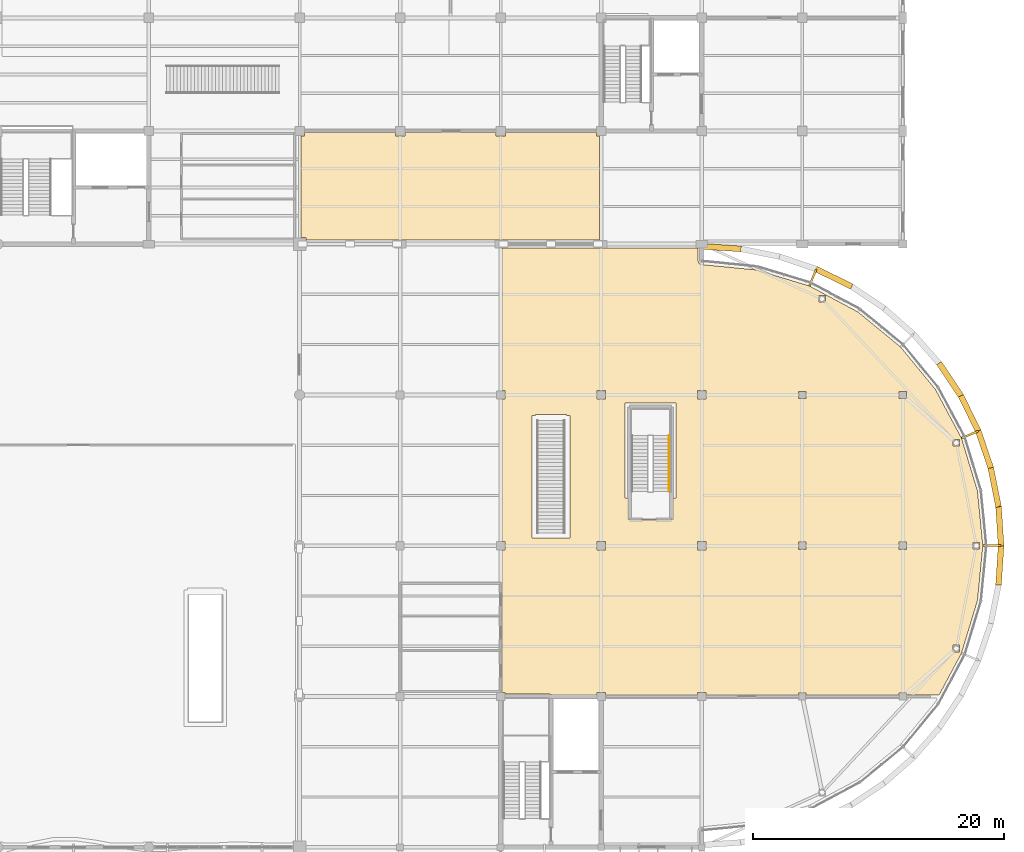
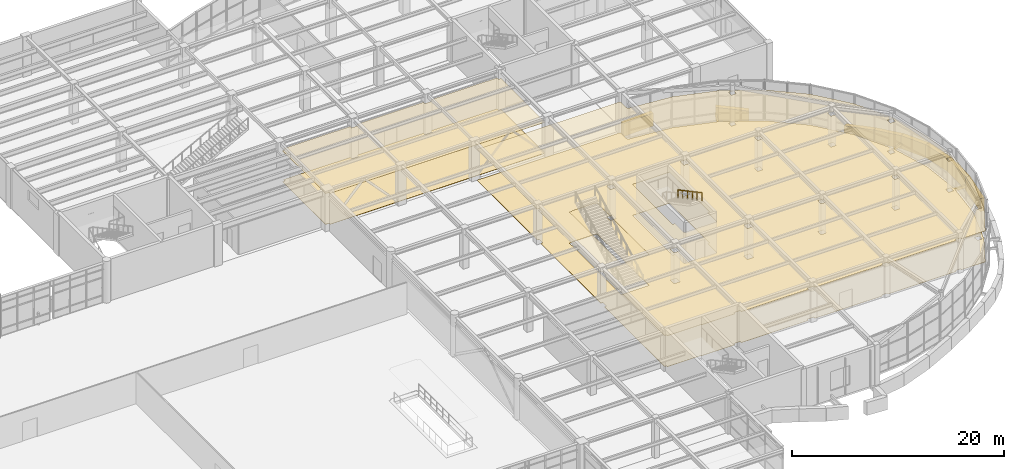
# One storey, part 69 of 72: 15 coverings, 1 railing.
"""IFC4 building model written with IfcOpenShell, lengths in metres."""

import ifcopenshell
import ifcopenshell.guid

model = None  # the IFC model being written
_history = None  # IfcOwnerHistory: only IFC2X3 demands one
_inside = {}  # id of a spatial element -> (the spatial element, [elements in it])
_under = {}  # id of a project, library or spatial element -> (it, [spatial elements below it])
_declared = {}  # id of a project -> (the project, [libraries it declares])
_typed = {}  # id of a type object -> (the type object, [elements of that type])
_made_of = {}  # id of a material, layer set ... -> (it, [elements and type objects made of it])


def new_model(schema):
    """Start an empty IFC model of exactly this schema.

    Asked for "IFC4X3", IfcOpenShell would pick the latest addendum, in which some entities
    have other attributes; the version numbers below select the first issue.
    IFC2X3 requires an IfcOwnerHistory on every rooted entity: one is made here for all.
    """
    global model, _history
    if schema == "IFC4X3":
        model = ifcopenshell.file(schema_version=(4, 3, 0, 0))
    else:
        model = ifcopenshell.file(schema=schema)
    _inside.clear()
    _under.clear()
    _declared.clear()
    _typed.clear()
    _made_of.clear()
    _history = None
    if model.schema == "IFC2X3":
        org = make("IfcOrganization", Name="unknown")
        user = make(
            "IfcPersonAndOrganization",
            ThePerson=make("IfcPerson", FamilyName="unknown"),
            TheOrganization=org,
        )
        app = make(
            "IfcApplication",
            ApplicationDeveloper=org,
            Version="unknown",
            ApplicationFullName="unknown",
            ApplicationIdentifier="unknown",
        )
        _history = make(
            "IfcOwnerHistory",
            OwningUser=user,
            OwningApplication=app,
            ChangeAction="ADDED",
            CreationDate=0,
        )
    return model


def make(cls, **values):
    """One entity of the class cls with the attributes given. An attribute that is None is left unset."""
    return model.create_entity(
        cls, **{name: value for name, value in values.items() if value is not None}
    )


def rooted(cls, **values):
    """An entity with a GlobalId (a new one), such as an element, a storey or a relation."""
    return make(cls, GlobalId=ifcopenshell.guid.new(), OwnerHistory=_history, **values)


def si_unit(unit_type, name, prefix=None):
    """IfcSIUnit, for example si_unit("LENGTHUNIT", "METRE", prefix="MILLI")."""
    return make("IfcSIUnit", UnitType=unit_type, Prefix=prefix, Name=name)


def assignment(units):
    """IfcUnitAssignment: the units of a project."""
    return None if units is None else make("IfcUnitAssignment", Units=units)


def point(xyz):
    """IfcCartesianPoint."""
    return None if xyz is None else make("IfcCartesianPoint", Coordinates=xyz)


def direction(xyz):
    """IfcDirection."""
    return None if xyz is None else make("IfcDirection", DirectionRatios=xyz)


def frame(location, z_axis=None, x_axis=None):
    """IfcAxis2Placement3D, a coordinate frame: its origin and axes. An axis left out is left unset."""
    return make(
        "IfcAxis2Placement3D",
        Location=point(location),
        Axis=direction(z_axis),
        RefDirection=direction(x_axis),
    )


def frame_2d(location, x_axis=None):
    """IfcAxis2Placement2D, a coordinate frame in the plane: its origin and x axis."""
    return make(
        "IfcAxis2Placement2D", Location=point(location), RefDirection=direction(x_axis)
    )


def origin():
    """The frame at (0, 0, 0) with its axes left unset."""
    return frame((0.0, 0.0, 0.0))


def origin_2d():
    """The frame at (0, 0) in the plane with its x axis left unset."""
    return frame_2d((0.0, 0.0))


def place(relative_to, where):
    """IfcLocalPlacement: puts the frame where relative to a parent placement (None: the world)."""
    return make(
        "IfcLocalPlacement", PlacementRelTo=relative_to, RelativePlacement=where
    )


def context(
    kind, dimensions, precision=None, world=None, true_north=None, identifier=None
):
    """IfcGeometricRepresentationContext, for example the 3D "Model" context."""
    return make(
        "IfcGeometricRepresentationContext",
        ContextIdentifier=identifier,
        ContextType=kind,
        CoordinateSpaceDimension=dimensions,
        Precision=precision,
        WorldCoordinateSystem=world,
        TrueNorth=true_north,
    )


def subcontext(parent, identifier, kind, view, scale=None):
    """IfcGeometricRepresentationSubContext, for example "Body" below "Model"."""
    return make(
        "IfcGeometricRepresentationSubContext",
        ContextIdentifier=identifier,
        ContextType=kind,
        ParentContext=parent,
        TargetScale=scale,
        TargetView=view,
    )


def project(units=None, contexts=None):
    """IfcProject with its units and contexts."""
    return rooted(
        "IfcProject",
        Name="project",
        RepresentationContexts=contexts,
        UnitsInContext=assignment(units),
    )


def spatial(cls, under=None, at=None, **own):
    """A site, building, storey or space (cls), placed at a placement, below another one or the project."""
    s = rooted(cls, ObjectPlacement=at, **own)
    if under is not None:
        _under.setdefault(under.id(), (under, []))[1].append(s)
    return s


def polyline(points):
    """IfcPolyline through the points."""
    return make("IfcPolyline", Points=[point(p) for p in points])


def profile(cls, at=None, kind="AREA", **sizes):
    """A parametric profile (cls). Its sizes go by their IFC names, for example OverallWidth=200.0."""
    return make(cls, ProfileType=kind, Position=at, **sizes)


def rectangle(**sizes):
    """IfcRectangleProfileDef."""
    return profile("IfcRectangleProfileDef", **sizes)


def circle(**sizes):
    """IfcCircleProfileDef."""
    return profile("IfcCircleProfileDef", **sizes)


def outline(outer, holes=None, kind="AREA"):
    """IfcArbitraryClosedProfileDef: a profile drawn as a closed curve; with holes, ...WithVoids."""
    if holes is None:
        return make("IfcArbitraryClosedProfileDef", ProfileType=kind, OuterCurve=outer)
    return make(
        "IfcArbitraryProfileDefWithVoids",
        ProfileType=kind,
        OuterCurve=outer,
        InnerCurves=holes,
    )


def extrude(swept, where, along, depth):
    """IfcExtrudedAreaSolid: the profile swept, set in the frame where, extruded along a direction by depth."""
    return make(
        "IfcExtrudedAreaSolid",
        SweptArea=swept,
        Position=where,
        ExtrudedDirection=direction(along),
        Depth=depth,
    )


def shape(context_of_items, identifier, shape_type, items):
    """IfcShapeRepresentation: the items that make up one representation, for example the "Body"."""
    return make(
        "IfcShapeRepresentation",
        ContextOfItems=context_of_items,
        RepresentationIdentifier=identifier,
        RepresentationType=shape_type,
        Items=items,
    )


def material(Name=None, Category=None):
    """IfcMaterial."""
    return make("IfcMaterial", Name=Name, Category=Category)


def layer(
    of_material, thickness, ventilated=None, Name=None, Category=None, Priority=None
):
    """IfcMaterialLayer: one layer of a wall or slab, of a material (None: an air gap)."""
    return make(
        "IfcMaterialLayer",
        Material=of_material,
        LayerThickness=thickness,
        IsVentilated=ventilated,
        Name=Name,
        Category=Category,
        Priority=Priority,
    )


def layer_set(layers, Name=None):
    """IfcMaterialLayerSet."""
    return make("IfcMaterialLayerSet", MaterialLayers=layers, LayerSetName=Name)


def made_of(thing, what):
    """Note that an element or type object is made of a material, layer set ...; save() writes the relation."""
    if what is not None:
        _made_of.setdefault(what.id(), (what, []))[1].append(thing)
    return thing


def type_object(cls, material=None, **own):
    """A type object (cls), such as IfcWallType, which elements share."""
    return made_of(rooted(cls, **own), material)


def element(
    cls,
    number,
    at=None,
    inside=None,
    cuts=None,
    type_object=None,
    material=None,
    context=None,
    identifier="Body",
    shape_type=None,
    held_by="IfcProductDefinitionShape",
    body=None,
    shapes=None,
    **own,
):
    """One element of the class cls, such as IfcWall. Its Tag is "e" and its number.

    at: its placement. inside: the storey or other place that contains it. cuts: it is an
    opening in that element (IfcRelVoidsElement). A single representation is given by context,
    identifier, shape_type and body (its items); several are given by shapes. held_by: the class
    of the entity that holds the representations. save() writes the other relations.
    """
    e = rooted(cls, Tag="e%d" % number, ObjectPlacement=at, **own)
    if body is not None:
        shapes = [shape(context, identifier, shape_type, body)]
    if shapes is not None:
        e.Representation = make(held_by, Representations=shapes)
    if inside is not None:
        _inside.setdefault(inside.id(), (inside, []))[1].append(e)
    if cuts is not None:
        rooted(
            "IfcRelVoidsElement", RelatingBuildingElement=cuts, RelatedOpeningElement=e
        )
    if type_object is not None:
        _typed.setdefault(type_object.id(), (type_object, []))[1].append(e)
    return made_of(e, material)


def aggregate(whole, parts):
    """IfcRelAggregates: a whole, such as a stair, and the parts it consists of."""
    return rooted("IfcRelAggregates", RelatingObject=whole, RelatedObjects=parts)


def save(model, path):
    """Write the relations noted so far, then the file.

    IfcRelAggregates (storeys below a building ...), IfcRelContainedInSpatialStructure (elements
    in a storey), IfcRelDefinesByType, IfcRelAssociatesMaterial and IfcRelDeclares: one each for
    every whole, place, type object, material and project.
    """
    for whole, parts in _under.values():
        aggregate(whole, parts)
    for where, things in _inside.values():
        rooted(
            "IfcRelContainedInSpatialStructure",
            RelatedElements=things,
            RelatingStructure=where,
        )
    for kind, things in _typed.values():
        rooted("IfcRelDefinesByType", RelatedObjects=things, RelatingType=kind)
    for what, things in _made_of.values():
        rooted("IfcRelAssociatesMaterial", RelatedObjects=things, RelatingMaterial=what)
    for by, libraries in _declared.values():
        rooted("IfcRelDeclares", RelatingContext=by, RelatedDefinitions=libraries)
    model.write(path)


model = new_model("IFC4")

# Units and contexts
model_context = context("Model", 3, precision=1e-05, world=origin(), true_north=direction((0.0, 1.0)))
body_context = subcontext(model_context, "Body", "Model", "MODEL_VIEW")
ifc_project = project(units=[si_unit("LENGTHUNIT", "METRE"), si_unit("AREAUNIT", "SQUARE_METRE"), si_unit("VOLUMEUNIT", "CUBIC_METRE"), si_unit("PLANEANGLEUNIT", "RADIAN"), si_unit("MASSUNIT", "GRAM", prefix="KILO")], contexts=[model_context])

# Site, building, storey
site_placement = place(None, origin())
site = spatial("IfcSite", under=ifc_project, at=site_placement, CompositionType="ELEMENT")
building_placement = place(site_placement, origin())
building = spatial("IfcBuilding", under=site, at=building_placement, Name="Keelwater Ferry Terminal", CompositionType="ELEMENT")
storey_placement = place(building_placement, frame((0.0, 0.0, 5.39990234375)))
storey = spatial("IfcBuildingStorey", under=building, at=storey_placement, Name="L01", CompositionType="ELEMENT", Elevation=5.39990234375)

# Coverings
ifc_material_1 = material(Name="Perforated acoustic gypsum board ceiling", Category="gypsum")
ifc_layer_1 = layer(ifc_material_1, 0.044921875)
ifc_layer_set_1 = layer_set([ifc_layer_1], Name="Perforated acoustic gypsum board ceiling")
covering_type_1 = type_object("IfcCoveringType", Name="CL-AC Acoustic Baffle Ceiling", PredefinedType="CEILING", material=ifc_layer_set_1)
covering_1_placement = place(storey_placement, frame((0.0, 0.0, 3.550048828125)))
element("IfcCovering", 1, at=covering_1_placement, inside=storey, type_object=covering_type_1, Name="International Border Inspection Hall Acoustic Ceiling", PredefinedType="CEILING", context=body_context, shape_type="SweptSolid", body=[
    extrude(outline(polyline([(163.656005859375, 89.677978515625), (163.6630859375, 89.677001953125), (163.6708984375, 89.674072265625), (163.677978515625, 89.6708984375), (163.68408203125, 89.6669921875), (163.69091796875, 89.662109375), (163.697021484375, 89.656982421875), (163.701904296875, 89.65087890625), (163.70703125, 89.64404296875), (163.7109375, 89.637939453125), (163.714111328125, 89.631103515625), (163.717041015625, 89.623046875), (163.718017578125, 89.615966796875), (163.719970703125, 89.60791015625), (163.719970703125, 89.60009765625), (163.719970703125, 88.654052734375), (163.719970703125, 88.64990234375), (163.720947265625, 88.623046875), (163.72509765625, 88.594970703125), (163.73193359375, 88.569091796875), (163.740966796875, 88.54296875), (163.7529296875, 88.51806640625), (163.76708984375, 88.493896484375), (163.783935546875, 88.471923828125), (163.802001953125, 88.451904296875), (163.822021484375, 88.43408203125), (163.843994140625, 88.4169921875), (163.867919921875, 88.403076171875), (163.89306640625, 88.39111328125), (163.9189453125, 88.382080078125), (163.945068359375, 88.375), (163.972900390625, 88.37109375), (166.347900390625, 88.137939453125), (168.35595703125, 87.93994140625), (168.364013671875, 87.93798828125), (168.37109375, 87.93701171875), (170.467041015625, 87.301025390625), (172.55908203125, 86.666015625), (172.56103515625, 86.666015625), (172.56103515625, 86.666015625), (173.841064453125, 85.98193359375), (173.843994140625, 85.97998046875), (173.85107421875, 85.97509765625), (173.85693359375, 85.969970703125), (173.861083984375, 85.964111328125), (173.867919921875, 85.962890625), (173.875, 85.9619140625), (173.883056640625, 85.958984375), (173.889892578125, 85.9560546875), (173.998046875, 85.89794921875), (176.4208984375, 84.60302734375), (176.427001953125, 84.59912109375), (176.43408203125, 84.593994140625), (179.81103515625, 81.822021484375), (179.81689453125, 81.81689453125), (179.822021484375, 81.81103515625), (182.593994140625, 78.43408203125), (182.59912109375, 78.427001953125), (182.60302734375, 78.4208984375), (183.325927734375, 77.068115234375), (184.666015625, 74.56103515625), (184.666015625, 74.56103515625), (184.666015625, 74.55908203125), (185.301025390625, 72.467041015625), (185.93701171875, 70.37109375), (185.93798828125, 70.364013671875), (185.93994140625, 70.35595703125), (186.367919921875, 66.008056640625), (186.367919921875, 66.0), (186.367919921875, 65.991943359375), (185.93994140625, 61.64404296875), (185.93798828125, 61.635986328125), (185.93701171875, 61.62890625), (185.301025390625, 59.532958984375), (184.666015625, 57.44091796875), (184.666015625, 57.43896484375), (184.666015625, 57.43896484375), (182.9130859375, 54.159912109375), (182.910888671875, 54.156005859375), (182.906005859375, 54.14892578125), (182.90087890625, 54.14306640625), (182.89501953125, 54.137939453125), (182.887939453125, 54.133056640625), (182.882080078125, 54.12890625), (182.875, 54.1259765625), (182.866943359375, 54.123046875), (182.860107421875, 54.1220703125), (182.85205078125, 54.1201171875), (182.843994140625, 54.1201171875), (180.294921875, 54.1201171875), (180.287109375, 54.1201171875), (180.284912109375, 54.12109375), (180.284912109375, 54.284912109375), (179.715087890625, 54.284912109375), (179.715087890625, 54.12109375), (179.712890625, 54.1201171875), (179.705078125, 54.1201171875), (172.294921875, 54.1201171875), (172.287109375, 54.1201171875), (172.284912109375, 54.12109375), (172.284912109375, 54.284912109375), (171.715087890625, 54.284912109375), (171.715087890625, 54.12109375), (171.712890625, 54.1201171875), (171.705078125, 54.1201171875), (164.344970703125, 54.1201171875), (164.3369140625, 54.1201171875), (164.3349609375, 54.12109375), (164.3349609375, 54.3349609375), (163.6650390625, 54.3349609375), (163.6650390625, 54.12109375), (163.6630859375, 54.1201171875), (163.655029296875, 54.1201171875), (156.344970703125, 54.1201171875), (156.3369140625, 54.1201171875), (156.3349609375, 54.12109375), (156.3349609375, 54.3349609375), (155.6650390625, 54.3349609375), (155.6650390625, 54.12109375), (155.6630859375, 54.1201171875), (155.655029296875, 54.1201171875), (152.072998046875, 54.1201171875), (152.055908203125, 54.133056640625), (152.031982421875, 54.14697265625), (152.007080078125, 54.158935546875), (151.98095703125, 54.16796875), (151.955078125, 54.175048828125), (151.927001953125, 54.178955078125), (151.89990234375, 54.179931640625), (148.3349609375, 54.179931640625), (148.3349609375, 54.3349609375), (148.12109375, 54.3349609375), (148.1201171875, 54.3369140625), (148.1201171875, 54.344970703125), (148.1201171875, 65.655029296875), (148.1201171875, 65.6630859375), (148.12109375, 65.6650390625), (148.3349609375, 65.6650390625), (148.3349609375, 66.3349609375), (148.12109375, 66.3349609375), (148.1201171875, 66.3369140625), (148.1201171875, 66.344970703125), (148.1201171875, 77.655029296875), (148.1201171875, 77.6630859375), (148.12109375, 77.6650390625), (148.3349609375, 77.6650390625), (148.3349609375, 78.3349609375), (148.12109375, 78.3349609375), (148.1201171875, 78.3369140625), (148.1201171875, 78.344970703125), (148.1201171875, 89.60009765625), (148.1201171875, 89.60791015625), (148.1220703125, 89.615966796875), (148.123046875, 89.623046875), (148.1259765625, 89.631103515625), (148.12890625, 89.637939453125), (148.133056640625, 89.64404296875), (148.137939453125, 89.65087890625), (148.14306640625, 89.656982421875), (148.14892578125, 89.662109375), (148.156005859375, 89.6669921875), (148.162109375, 89.6708984375), (148.1689453125, 89.674072265625), (148.177001953125, 89.677001953125), (148.18408203125, 89.677978515625), (148.19189453125, 89.679931640625), (148.199951171875, 89.679931640625), (163.639892578125, 89.679931640625), (163.64794921875, 89.679931640625), (163.656005859375, 89.677978515625)]), holes=[polyline([(161.719970703125, 69.800048828125), (161.93994140625, 69.800048828125), (161.93994140625, 76.780029296875), (161.93994140625, 77.340087890625), (157.89990234375, 77.340087890625), (157.89990234375, 76.780029296875), (157.89990234375, 69.800048828125), (158.179931640625, 69.800048828125), (158.179931640625, 68.080078125), (161.719970703125, 68.080078125), (161.719970703125, 69.800048828125)]), polyline([(150.780029296875, 76.419921875), (150.780029296875, 76.360107421875), (150.5, 76.360107421875), (150.5, 66.60009765625), (153.5, 66.60009765625), (153.5, 76.360107421875), (153.219970703125, 76.360107421875), (153.219970703125, 76.419921875), (150.780029296875, 76.419921875)]), polyline([(183.9951171875, 58.0791015625), (183.9951171875, 57.551025390625), (184.52294921875, 57.551025390625), (184.52294921875, 58.0791015625), (183.9951171875, 58.0791015625)]), polyline([(156.3349609375, 66.3349609375), (155.6650390625, 66.3349609375), (155.6650390625, 65.6650390625), (156.3349609375, 65.6650390625), (156.3349609375, 66.3349609375)]), polyline([(186.114013671875, 66.263916015625), (185.5859375, 66.263916015625), (185.5859375, 65.736083984375), (186.114013671875, 65.736083984375), (186.114013671875, 66.263916015625)]), polyline([(179.715087890625, 66.284912109375), (179.715087890625, 65.715087890625), (180.284912109375, 65.715087890625), (180.284912109375, 66.284912109375), (179.715087890625, 66.284912109375)]), polyline([(163.6650390625, 66.3349609375), (163.6650390625, 65.6650390625), (164.3349609375, 65.6650390625), (164.3349609375, 66.3349609375), (163.6650390625, 66.3349609375)]), polyline([(171.715087890625, 66.284912109375), (171.715087890625, 65.715087890625), (172.284912109375, 65.715087890625), (172.284912109375, 66.284912109375), (171.715087890625, 66.284912109375)]), polyline([(183.9951171875, 74.448974609375), (183.9951171875, 73.9208984375), (184.52294921875, 73.9208984375), (184.52294921875, 74.448974609375), (183.9951171875, 74.448974609375)]), polyline([(155.6650390625, 78.3349609375), (155.6650390625, 77.6650390625), (156.3349609375, 77.6650390625), (156.3349609375, 78.3349609375), (155.6650390625, 78.3349609375)]), polyline([(179.715087890625, 78.284912109375), (179.715087890625, 77.715087890625), (180.284912109375, 77.715087890625), (180.284912109375, 78.284912109375), (179.715087890625, 78.284912109375)]), polyline([(172.284912109375, 78.284912109375), (171.715087890625, 78.284912109375), (171.715087890625, 77.715087890625), (172.284912109375, 77.715087890625), (172.284912109375, 78.284912109375)]), polyline([(164.3349609375, 78.3349609375), (163.6650390625, 78.3349609375), (163.6650390625, 77.6650390625), (164.3349609375, 77.6650390625), (164.3349609375, 78.3349609375)]), polyline([(173.31396484375, 85.903076171875), (173.31396484375, 85.375), (173.842041015625, 85.375), (173.842041015625, 85.903076171875), (173.31396484375, 85.903076171875)])]), origin(), (0.0, 0.0, 1.0), 0.045166015625),
])
covering_2_placement = place(storey_placement, frame((0.0, 0.0, 3.550048828125)))
element("IfcCovering", 2, at=covering_2_placement, inside=storey, type_object=covering_type_1, Name="Maritime Bookshop Acoustic Ceiling", PredefinedType="CEILING", context=body_context, shape_type="SweptSolid", body=[
    extrude(outline(polyline([(139.614990234375, 98.87890625), (139.614990234375, 98.614990234375), (140.385009765625, 98.614990234375), (140.385009765625, 98.87890625), (140.386962890625, 98.8798828125), (140.39501953125, 98.8798828125), (147.60498046875, 98.8798828125), (147.613037109375, 98.8798828125), (147.614990234375, 98.87890625), (147.614990234375, 98.614990234375), (148.385009765625, 98.614990234375), (148.385009765625, 98.87890625), (148.386962890625, 98.8798828125), (148.39501953125, 98.8798828125), (155.60498046875, 98.8798828125), (155.613037109375, 98.8798828125), (155.614990234375, 98.87890625), (155.614990234375, 98.614990234375), (155.87890625, 98.614990234375), (155.8798828125, 98.613037109375), (155.8798828125, 98.60498046875), (155.8798828125, 90.39990234375), (155.8798828125, 90.39208984375), (155.8779296875, 90.384033203125), (155.876953125, 90.376953125), (155.8740234375, 90.368896484375), (155.87109375, 90.362060546875), (155.866943359375, 90.35595703125), (155.862060546875, 90.34912109375), (155.85693359375, 90.343017578125), (155.85107421875, 90.337890625), (155.843994140625, 90.3330078125), (155.837890625, 90.3291015625), (155.8310546875, 90.325927734375), (155.822998046875, 90.322998046875), (155.81591796875, 90.322021484375), (155.80810546875, 90.320068359375), (155.800048828125, 90.320068359375), (132.52001953125, 90.320068359375), (132.511962890625, 90.320068359375), (132.510009765625, 90.321044921875), (132.510009765625, 90.510009765625), (132.12109375, 90.510009765625), (132.1201171875, 90.511962890625), (132.1201171875, 90.52001953125), (132.1201171875, 98.60498046875), (132.1201171875, 98.613037109375), (132.12109375, 98.614990234375), (132.385009765625, 98.614990234375), (132.385009765625, 98.87890625), (132.386962890625, 98.8798828125), (132.39501953125, 98.8798828125), (139.60498046875, 98.8798828125), (139.613037109375, 98.8798828125), (139.614990234375, 98.87890625)])), origin(), (0.0, 0.0, 1.0), 0.045166015625),
])
ifc_material_2 = material(Name="Polished mineral terrazzo tile", Category="stone")
ifc_layer_2 = layer(ifc_material_2, 0.030029296875)
ifc_layer_set_2 = layer_set([ifc_layer_2], Name="Polished mineral terrazzo tile")
covering_type_2 = type_object("IfcCoveringType", Name="FL-TZ Marine Terrazzo Flooring", PredefinedType="FLOORING", material=ifc_layer_set_2)
covering_3_placement = place(storey_placement, origin())
element("IfcCovering", 3, at=covering_3_placement, inside=storey, type_object=covering_type_2, Name="International Border Inspection Hall Terrazzo Floor", PredefinedType="FLOORING", context=body_context, shape_type="SweptSolid", body=[
    extrude(outline(polyline([(163.656005859375, 89.677978515625), (163.6630859375, 89.677001953125), (163.6708984375, 89.674072265625), (163.677978515625, 89.6708984375), (163.68408203125, 89.6669921875), (163.69091796875, 89.662109375), (163.697021484375, 89.656982421875), (163.701904296875, 89.65087890625), (163.70703125, 89.64404296875), (163.7109375, 89.637939453125), (163.714111328125, 89.631103515625), (163.717041015625, 89.623046875), (163.718017578125, 89.615966796875), (163.719970703125, 89.60791015625), (163.719970703125, 89.60009765625), (163.719970703125, 88.654052734375), (163.719970703125, 88.64990234375), (163.720947265625, 88.623046875), (163.72509765625, 88.594970703125), (163.73193359375, 88.569091796875), (163.740966796875, 88.54296875), (163.7529296875, 88.51806640625), (163.76708984375, 88.493896484375), (163.783935546875, 88.471923828125), (163.802001953125, 88.451904296875), (163.822021484375, 88.43408203125), (163.843994140625, 88.4169921875), (163.867919921875, 88.403076171875), (163.89306640625, 88.39111328125), (163.9189453125, 88.382080078125), (163.945068359375, 88.375), (163.972900390625, 88.37109375), (166.347900390625, 88.137939453125), (168.35595703125, 87.93994140625), (168.364013671875, 87.93798828125), (168.37109375, 87.93701171875), (170.467041015625, 87.301025390625), (172.55908203125, 86.666015625), (172.56103515625, 86.666015625), (172.56103515625, 86.666015625), (173.841064453125, 85.98193359375), (173.843994140625, 85.97998046875), (173.85107421875, 85.97509765625), (173.85693359375, 85.969970703125), (173.861083984375, 85.964111328125), (173.867919921875, 85.962890625), (173.875, 85.9619140625), (173.883056640625, 85.958984375), (173.889892578125, 85.9560546875), (173.998046875, 85.89794921875), (176.4208984375, 84.60302734375), (176.427001953125, 84.59912109375), (176.43408203125, 84.593994140625), (179.81103515625, 81.822021484375), (179.81689453125, 81.81689453125), (179.822021484375, 81.81103515625), (182.593994140625, 78.43408203125), (182.59912109375, 78.427001953125), (182.60302734375, 78.4208984375), (183.325927734375, 77.068115234375), (184.666015625, 74.56103515625), (184.666015625, 74.56103515625), (184.666015625, 74.55908203125), (185.301025390625, 72.467041015625), (185.93701171875, 70.37109375), (185.93798828125, 70.364013671875), (185.93994140625, 70.35595703125), (186.367919921875, 66.008056640625), (186.367919921875, 66.0), (186.367919921875, 65.991943359375), (185.93994140625, 61.64404296875), (185.93798828125, 61.635986328125), (185.93701171875, 61.62890625), (185.301025390625, 59.532958984375), (184.666015625, 57.44091796875), (184.666015625, 57.43896484375), (184.666015625, 57.43896484375), (182.9130859375, 54.159912109375), (182.910888671875, 54.156005859375), (182.906005859375, 54.14892578125), (182.90087890625, 54.14306640625), (182.89501953125, 54.137939453125), (182.887939453125, 54.133056640625), (182.882080078125, 54.12890625), (182.875, 54.1259765625), (182.866943359375, 54.123046875), (182.860107421875, 54.1220703125), (182.85205078125, 54.1201171875), (182.843994140625, 54.1201171875), (180.294921875, 54.1201171875), (180.287109375, 54.1201171875), (180.284912109375, 54.12109375), (180.284912109375, 54.284912109375), (179.715087890625, 54.284912109375), (179.715087890625, 54.12109375), (179.712890625, 54.1201171875), (179.705078125, 54.1201171875), (172.294921875, 54.1201171875), (172.287109375, 54.1201171875), (172.284912109375, 54.12109375), (172.284912109375, 54.284912109375), (171.715087890625, 54.284912109375), (171.715087890625, 54.12109375), (171.712890625, 54.1201171875), (171.705078125, 54.1201171875), (164.344970703125, 54.1201171875), (164.3369140625, 54.1201171875), (164.3349609375, 54.12109375), (164.3349609375, 54.3349609375), (163.6650390625, 54.3349609375), (163.6650390625, 54.12109375), (163.6630859375, 54.1201171875), (163.655029296875, 54.1201171875), (156.344970703125, 54.1201171875), (156.3369140625, 54.1201171875), (156.3349609375, 54.12109375), (156.3349609375, 54.3349609375), (155.6650390625, 54.3349609375), (155.6650390625, 54.12109375), (155.6630859375, 54.1201171875), (155.655029296875, 54.1201171875), (152.072998046875, 54.1201171875), (152.055908203125, 54.133056640625), (152.031982421875, 54.14697265625), (152.007080078125, 54.158935546875), (151.98095703125, 54.16796875), (151.955078125, 54.175048828125), (151.927001953125, 54.178955078125), (151.89990234375, 54.179931640625), (148.3349609375, 54.179931640625), (148.3349609375, 54.3349609375), (148.12109375, 54.3349609375), (148.1201171875, 54.3369140625), (148.1201171875, 54.344970703125), (148.1201171875, 65.655029296875), (148.1201171875, 65.6630859375), (148.12109375, 65.6650390625), (148.3349609375, 65.6650390625), (148.3349609375, 66.3349609375), (148.12109375, 66.3349609375), (148.1201171875, 66.3369140625), (148.1201171875, 66.344970703125), (148.1201171875, 77.655029296875), (148.1201171875, 77.6630859375), (148.12109375, 77.6650390625), (148.3349609375, 77.6650390625), (148.3349609375, 78.3349609375), (148.12109375, 78.3349609375), (148.1201171875, 78.3369140625), (148.1201171875, 78.344970703125), (148.1201171875, 89.60009765625), (148.1201171875, 89.60791015625), (148.1220703125, 89.615966796875), (148.123046875, 89.623046875), (148.1259765625, 89.631103515625), (148.12890625, 89.637939453125), (148.133056640625, 89.64404296875), (148.137939453125, 89.65087890625), (148.14306640625, 89.656982421875), (148.14892578125, 89.662109375), (148.156005859375, 89.6669921875), (148.162109375, 89.6708984375), (148.1689453125, 89.674072265625), (148.177001953125, 89.677001953125), (148.18408203125, 89.677978515625), (148.19189453125, 89.679931640625), (148.199951171875, 89.679931640625), (163.639892578125, 89.679931640625), (163.64794921875, 89.679931640625), (163.656005859375, 89.677978515625)]), holes=[polyline([(161.719970703125, 69.800048828125), (161.93994140625, 69.800048828125), (161.93994140625, 76.780029296875), (161.93994140625, 77.340087890625), (157.89990234375, 77.340087890625), (157.89990234375, 76.780029296875), (157.89990234375, 69.800048828125), (158.179931640625, 69.800048828125), (158.179931640625, 68.080078125), (161.719970703125, 68.080078125), (161.719970703125, 69.800048828125)]), polyline([(150.780029296875, 76.419921875), (150.780029296875, 76.360107421875), (150.5, 76.360107421875), (150.5, 66.60009765625), (153.5, 66.60009765625), (153.5, 76.360107421875), (153.219970703125, 76.360107421875), (153.219970703125, 76.419921875), (150.780029296875, 76.419921875)]), polyline([(183.9951171875, 58.0791015625), (183.9951171875, 57.551025390625), (184.52294921875, 57.551025390625), (184.52294921875, 58.0791015625), (183.9951171875, 58.0791015625)]), polyline([(156.3349609375, 66.3349609375), (155.6650390625, 66.3349609375), (155.6650390625, 65.6650390625), (156.3349609375, 65.6650390625), (156.3349609375, 66.3349609375)]), polyline([(186.114013671875, 66.263916015625), (185.5859375, 66.263916015625), (185.5859375, 65.736083984375), (186.114013671875, 65.736083984375), (186.114013671875, 66.263916015625)]), polyline([(179.715087890625, 66.284912109375), (179.715087890625, 65.715087890625), (180.284912109375, 65.715087890625), (180.284912109375, 66.284912109375), (179.715087890625, 66.284912109375)]), polyline([(163.6650390625, 66.3349609375), (163.6650390625, 65.6650390625), (164.3349609375, 65.6650390625), (164.3349609375, 66.3349609375), (163.6650390625, 66.3349609375)]), polyline([(171.715087890625, 66.284912109375), (171.715087890625, 65.715087890625), (172.284912109375, 65.715087890625), (172.284912109375, 66.284912109375), (171.715087890625, 66.284912109375)]), polyline([(183.9951171875, 74.448974609375), (183.9951171875, 73.9208984375), (184.52294921875, 73.9208984375), (184.52294921875, 74.448974609375), (183.9951171875, 74.448974609375)]), polyline([(155.6650390625, 78.3349609375), (155.6650390625, 77.6650390625), (156.3349609375, 77.6650390625), (156.3349609375, 78.3349609375), (155.6650390625, 78.3349609375)]), polyline([(179.715087890625, 78.284912109375), (179.715087890625, 77.715087890625), (180.284912109375, 77.715087890625), (180.284912109375, 78.284912109375), (179.715087890625, 78.284912109375)]), polyline([(172.284912109375, 78.284912109375), (171.715087890625, 78.284912109375), (171.715087890625, 77.715087890625), (172.284912109375, 77.715087890625), (172.284912109375, 78.284912109375)]), polyline([(164.3349609375, 78.3349609375), (163.6650390625, 78.3349609375), (163.6650390625, 77.6650390625), (164.3349609375, 77.6650390625), (164.3349609375, 78.3349609375)]), polyline([(173.31396484375, 85.903076171875), (173.31396484375, 85.375), (173.842041015625, 85.375), (173.842041015625, 85.903076171875), (173.31396484375, 85.903076171875)])]), origin(), (0.0, 0.0, 1.0), 0.030029296875),
])
covering_4_placement = place(storey_placement, origin())
element("IfcCovering", 4, at=covering_4_placement, inside=storey, type_object=covering_type_2, Name="Maritime Bookshop Terrazzo Floor", PredefinedType="FLOORING", context=body_context, shape_type="SweptSolid", body=[
    extrude(outline(polyline([(139.614990234375, 98.87890625), (139.614990234375, 98.614990234375), (140.385009765625, 98.614990234375), (140.385009765625, 98.87890625), (140.386962890625, 98.8798828125), (140.39501953125, 98.8798828125), (147.60498046875, 98.8798828125), (147.613037109375, 98.8798828125), (147.614990234375, 98.87890625), (147.614990234375, 98.614990234375), (148.385009765625, 98.614990234375), (148.385009765625, 98.87890625), (148.386962890625, 98.8798828125), (148.39501953125, 98.8798828125), (155.60498046875, 98.8798828125), (155.613037109375, 98.8798828125), (155.614990234375, 98.87890625), (155.614990234375, 98.614990234375), (155.87890625, 98.614990234375), (155.8798828125, 98.613037109375), (155.8798828125, 98.60498046875), (155.8798828125, 90.39990234375), (155.8798828125, 90.39208984375), (155.8779296875, 90.384033203125), (155.876953125, 90.376953125), (155.8740234375, 90.368896484375), (155.87109375, 90.362060546875), (155.866943359375, 90.35595703125), (155.862060546875, 90.34912109375), (155.85693359375, 90.343017578125), (155.85107421875, 90.337890625), (155.843994140625, 90.3330078125), (155.837890625, 90.3291015625), (155.8310546875, 90.325927734375), (155.822998046875, 90.322998046875), (155.81591796875, 90.322021484375), (155.80810546875, 90.320068359375), (155.800048828125, 90.320068359375), (132.52001953125, 90.320068359375), (132.511962890625, 90.320068359375), (132.510009765625, 90.321044921875), (132.510009765625, 90.510009765625), (132.12109375, 90.510009765625), (132.1201171875, 90.511962890625), (132.1201171875, 90.52001953125), (132.1201171875, 98.60498046875), (132.1201171875, 98.613037109375), (132.12109375, 98.614990234375), (132.385009765625, 98.614990234375), (132.385009765625, 98.87890625), (132.386962890625, 98.8798828125), (132.39501953125, 98.8798828125), (139.60498046875, 98.8798828125), (139.613037109375, 98.8798828125), (139.614990234375, 98.87890625)])), origin(), (0.0, 0.0, 1.0), 0.030029296875),
])

# Railing
ifc_material_3 = material(Name="Brushed stainless steel handrail", Category="steel")
railing_type = type_object("IfcRailingType", Name="HR-920 Stair Pitch Handrail", PredefinedType="HANDRAIL", material=ifc_material_3)
railing_placement = place(storey_placement, frame((161.3798828125, 74.780029296875, 2.400146484375)))
element("IfcRailing", 5, at=railing_placement, inside=storey, type_object=railing_type, Name="Stair ST-E5-L01 Flight 2 Handrail 96", PredefinedType="HANDRAIL", context=body_context, shape_type="SweptSolid", body=[
    extrude(circle(Radius=0.02392578125, at=origin_2d()), frame((0.0, 0.0, 0.89599609375), z_axis=(0.0, -0.881487111273, 0.472208081951), x_axis=(1.0, 0.0, 0.0)), (0.0, 0.0, 1.0), 5.082275390625),
    extrude(circle(Radius=0.02099609375, at=origin_2d()), origin(), (0.0, 0.0, 1.0), 0.871826171875),
    extrude(circle(Radius=0.02099609375, at=origin_2d()), frame((0.0, -0.89599609375, 0.47998046875)), (0.0, 0.0, 1.0), 0.871826171875),
    extrude(circle(Radius=0.02099609375, at=origin_2d()), frame((0.0, -1.7919921875, 0.9599609375)), (0.0, 0.0, 1.0), 0.871826171875),
    extrude(circle(Radius=0.02099609375, at=origin_2d()), frame((0.0, -2.68798828125, 1.43994140625)), (0.0, 0.0, 1.0), 0.871826171875),
    extrude(circle(Radius=0.02099609375, at=origin_2d()), frame((0.0, -3.583984375, 1.919921875)), (0.0, 0.0, 1.0), 0.871826171875),
    extrude(circle(Radius=0.02099609375, at=origin_2d()), frame((0.0, -4.47998046875, 2.39990234375)), (0.0, 0.0, 1.0), 0.871826171875),
])

# Coverings
ifc_material_4 = material(Name="Matte white architectural aluminium fascia ribbon", Category="aluminium")
ifc_layer_3 = layer(ifc_material_4, 0.1201171875)
ifc_layer_set_3 = layer_set([ifc_layer_3], Name="Matte white architectural aluminium fascia ribbon")
covering_type_3 = type_object("IfcCoveringType", Name="RB-WHT Matte White Fascia Ribbon", PredefinedType="CLADDING", material=ifc_layer_set_3)
covering_5_placement = place(storey_placement, frame((187.614013671875, 62.865966796875, -1.10595703125), z_axis=(0.0, 0.0, 1.0), x_axis=(0.065705147067, 0.997839082041, 0.0)))
element("IfcCovering", 6, at=covering_5_placement, inside=storey, type_object=covering_type_3, Name="Concourse Lower Wave Fascia Ribbon 693", PredefinedType="CLADDING", context=body_context, shape_type="SweptSolid", body=[
    extrude(outline(polyline([(0.0, 0.0), (3.165771484375, 0.545166015625), (3.165771484375, 2.045166015625), (0.0, 1.5), (0.0, 0.0)])), frame((0.0, 0.22998046875, 0.0), z_axis=(0.0, -1.0, 0.0), x_axis=(1.0, 0.0, 0.0)), (0.0, 0.0, 1.0), 0.4599609375),
])
covering_6_placement = place(storey_placement, frame((187.822021484375, 65.97509765625, -0.560791015625), z_axis=(0.0, 0.0, 1.0), x_axis=(-0.065705147067, 0.997839082041, 0.0)))
element("IfcCovering", 7, at=covering_6_placement, inside=storey, type_object=covering_type_3, Name="Concourse Lower Wave Fascia Ribbon 697", PredefinedType="CLADDING", context=body_context, shape_type="SweptSolid", body=[
    extrude(outline(polyline([(0.0, 0.0), (3.165771484375, 0.327880859375), (3.165771484375, 1.827880859375), (0.0, 1.5), (0.0, 0.0)])), frame((0.0, 0.22998046875, 0.0), z_axis=(0.0, -1.0, 0.0), x_axis=(1.0, 0.0, 0.0)), (0.0, 0.0, 1.0), 0.4599609375),
])
covering_7_placement = place(storey_placement, frame((187.820068359375, 66.0, -0.25), z_axis=(0.0, 0.0, 1.0), x_axis=(-1.0, 0.0, 0.0)))
element("IfcCovering", 8, at=covering_7_placement, inside=storey, type_object=covering_type_3, Name="Ribbon Slab Tie Bracket 702", PredefinedType="CLADDING", context=body_context, shape_type="SweptSolid", body=[
    extrude(rectangle(XDim=1.449951171875, YDim=0.159912109375, at=frame_2d((0.72509765625, 0.0))), origin(), (0.0, 0.0, 1.0), 0.300048828125),
])
covering_8_placement = place(storey_placement, frame((187.62109375, 69.083984375, -0.267822265625), z_axis=(0.0, 0.0, 1.0), x_axis=(-0.195196875454, 0.98076407959, 0.0)))
element("IfcCovering", 9, at=covering_8_placement, inside=storey, type_object=covering_type_3, Name="Concourse Lower Wave Fascia Ribbon 707", PredefinedType="CLADDING", context=body_context, shape_type="SweptSolid", body=[
    extrude(outline(polyline([(0.0, 0.034912109375), (3.1669921875, 0.0), (3.1669921875, 1.5), (0.0, 1.534912109375), (0.0, 0.034912109375)])), frame((0.0, 0.22998046875, 0.0), z_axis=(0.0, -1.0, 0.0), x_axis=(1.0, 0.0, 0.0)), (0.0, 0.0, 1.0), 0.4599609375),
])
covering_9_placement = place(storey_placement, frame((187.01611328125, 72.14111328125, -0.65087890625), z_axis=(0.0, 0.0, 1.0), x_axis=(-0.321196336342, 0.94701262585, 0.0)))
element("IfcCovering", 10, at=covering_9_placement, inside=storey, type_object=covering_type_3, Name="Concourse Lower Wave Fascia Ribbon 711", PredefinedType="CLADDING", context=body_context, shape_type="SweptSolid", body=[
    extrude(outline(polyline([(0.0, 0.383056640625), (3.16650390625, 0.0), (3.16650390625, 1.5), (0.0, 1.883056640625), (0.0, 0.383056640625)])), frame((0.0, 0.22998046875, 0.0), z_axis=(0.0, -1.0, 0.0), x_axis=(1.0, 0.0, 0.0)), (0.0, 0.0, 1.0), 0.4599609375),
])
covering_10_placement = place(storey_placement, frame((186.01806640625, 75.093994140625, -1.2109375), z_axis=(0.0, 0.0, 1.0), x_axis=(-0.442454846905, 0.896790782987, 0.0)))
element("IfcCovering", 11, at=covering_10_placement, inside=storey, type_object=covering_type_3, Name="Concourse Lower Wave Fascia Ribbon 715", PredefinedType="CLADDING", context=body_context, shape_type="SweptSolid", body=[
    extrude(outline(polyline([(0.0, 0.56005859375), (3.16455078125, 0.0), (3.16455078125, 1.5), (0.0, 2.06005859375), (0.0, 0.56005859375)])), frame((0.0, 0.22998046875, 0.0), z_axis=(0.0, -1.0, 0.0), x_axis=(1.0, 0.0, 0.0)), (0.0, 0.0, 1.0), 0.4599609375),
])
covering_11_placement = place(storey_placement, frame((186.007080078125, 75.115966796875, -0.25), z_axis=(0.0, 0.0, 1.0), x_axis=(-0.923916320312, -0.382594606681, 0.0)))
element("IfcCovering", 12, at=covering_11_placement, inside=storey, type_object=covering_type_3, Name="Ribbon Slab Tie Bracket 721", PredefinedType="CLADDING", context=body_context, shape_type="SweptSolid", body=[
    extrude(rectangle(XDim=1.450439453125, YDim=0.159912109375, at=frame_2d((0.72509765625, 0.0))), origin(), (0.0, 0.0, 1.0), 0.300048828125),
])
covering_12_placement = place(storey_placement, frame((184.64306640625, 77.888916015625, -1.699951171875), z_axis=(0.0, 0.0, 1.0), x_axis=(-0.55550058618, 0.831516144614, 0.0)))
element("IfcCovering", 13, at=covering_12_placement, inside=storey, type_object=covering_type_3, Name="Concourse Lower Wave Fascia Ribbon 726", PredefinedType="CLADDING", context=body_context, shape_type="SweptSolid", body=[
    extrude(outline(polyline([(0.0, 0.489013671875), (3.16650390625, 0.0), (3.16650390625, 1.5), (0.0, 1.989013671875), (0.0, 0.489013671875)])), frame((0.0, 0.22998046875, 0.0), z_axis=(0.0, -1.0, 0.0), x_axis=(1.0, 0.0, 0.0)), (0.0, 0.0, 1.0), 0.4599609375),
])
covering_13_placement = place(storey_placement, frame((175.931884765625, 86.617919921875, -1.244873046875), z_axis=(0.0, 0.0, 1.0), x_axis=(-0.896790782987, 0.442454846905, 0.0)))
element("IfcCovering", 14, at=covering_13_placement, inside=storey, type_object=covering_type_3, Name="Concourse Lower Wave Fascia Ribbon 750", PredefinedType="CLADDING", context=body_context, shape_type="SweptSolid", body=[
    extrude(outline(polyline([(0.0, 0.0), (3.16455078125, 0.56298828125), (3.16455078125, 2.06298828125), (0.0, 1.5), (0.0, 0.0)])), frame((0.0, 0.22998046875, 0.0), z_axis=(0.0, -1.0, 0.0), x_axis=(1.0, 0.0, 0.0)), (0.0, 0.0, 1.0), 0.4599609375),
])
covering_14_placement = place(storey_placement, frame((173.115966796875, 88.007080078125, -0.25), z_axis=(0.0, 0.0, 1.0), x_axis=(-0.382594606681, -0.923916320312, 0.0)))
element("IfcCovering", 15, at=covering_14_placement, inside=storey, type_object=covering_type_3, Name="Ribbon Slab Tie Bracket 759", PredefinedType="CLADDING", context=body_context, shape_type="SweptSolid", body=[
    extrude(rectangle(XDim=1.450439453125, YDim=0.159912109375, at=frame_2d((0.72509765625, 0.0))), origin(), (0.0, 0.0, 1.0), 0.300048828125),
])
covering_15_placement = place(storey_placement, frame((167.134033203125, 89.614013671875, -0.491943359375), z_axis=(0.0, 0.0, 1.0), x_axis=(-0.997839082041, 0.065705147067, 0.0)))
element("IfcCovering", 16, at=covering_15_placement, inside=storey, type_object=covering_type_3, Name="Concourse Lower Wave Fascia Ribbon 768", PredefinedType="CLADDING", context=body_context, shape_type="SweptSolid", body=[
    extrude(outline(polyline([(0.0, 0.26806640625), (3.165771484375, 0.0), (3.165771484375, 1.5), (0.0, 1.76806640625), (0.0, 0.26806640625)])), frame((0.0, 0.22998046875, 0.0), z_axis=(0.0, -1.0, 0.0), x_axis=(1.0, 0.0, 0.0)), (0.0, 0.0, 1.0), 0.4599609375),
])

save(model, "model.ifc")
